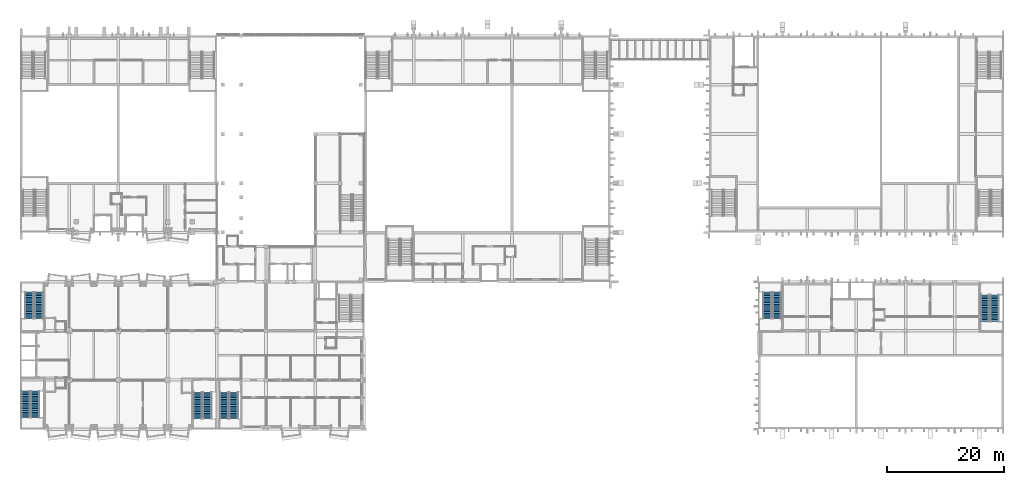
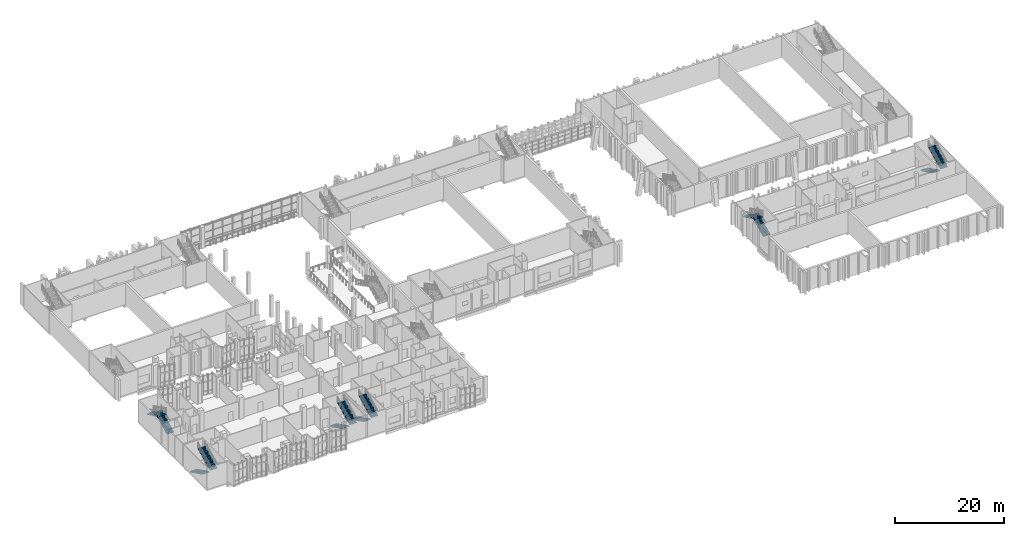
# One storey, part 41 of 91: 12 stair flights, 6 elements without a shape of their own.
"""IFC4 building model written with IfcOpenShell, lengths in metres."""

import ifcopenshell
import ifcopenshell.guid

model = None  # the IFC model being written
_history = None  # IfcOwnerHistory: only IFC2X3 demands one
_inside = {}  # id of a spatial element -> (the spatial element, [elements in it])
_under = {}  # id of a project, library or spatial element -> (it, [spatial elements below it])
_declared = {}  # id of a project -> (the project, [libraries it declares])
_typed = {}  # id of a type object -> (the type object, [elements of that type])
_made_of = {}  # id of a material, layer set ... -> (it, [elements and type objects made of it])


def new_model(schema):
    """Start an empty IFC model of exactly this schema.

    Asked for "IFC4X3", IfcOpenShell would pick the latest addendum, in which some entities
    have other attributes; the version numbers below select the first issue.
    IFC2X3 requires an IfcOwnerHistory on every rooted entity: one is made here for all.
    """
    global model, _history
    if schema == "IFC4X3":
        model = ifcopenshell.file(schema_version=(4, 3, 0, 0))
    else:
        model = ifcopenshell.file(schema=schema)
    _inside.clear()
    _under.clear()
    _declared.clear()
    _typed.clear()
    _made_of.clear()
    _history = None
    if model.schema == "IFC2X3":
        org = make("IfcOrganization", Name="unknown")
        user = make(
            "IfcPersonAndOrganization",
            ThePerson=make("IfcPerson", FamilyName="unknown"),
            TheOrganization=org,
        )
        app = make(
            "IfcApplication",
            ApplicationDeveloper=org,
            Version="unknown",
            ApplicationFullName="unknown",
            ApplicationIdentifier="unknown",
        )
        _history = make(
            "IfcOwnerHistory",
            OwningUser=user,
            OwningApplication=app,
            ChangeAction="ADDED",
            CreationDate=0,
        )
    return model


def make(cls, **values):
    """One entity of the class cls with the attributes given. An attribute that is None is left unset."""
    return model.create_entity(
        cls, **{name: value for name, value in values.items() if value is not None}
    )


def rooted(cls, **values):
    """An entity with a GlobalId (a new one), such as an element, a storey or a relation."""
    return make(cls, GlobalId=ifcopenshell.guid.new(), OwnerHistory=_history, **values)


def si_unit(unit_type, name, prefix=None):
    """IfcSIUnit, for example si_unit("LENGTHUNIT", "METRE", prefix="MILLI")."""
    return make("IfcSIUnit", UnitType=unit_type, Prefix=prefix, Name=name)


def assignment(units):
    """IfcUnitAssignment: the units of a project."""
    return None if units is None else make("IfcUnitAssignment", Units=units)


def point(xyz):
    """IfcCartesianPoint."""
    return None if xyz is None else make("IfcCartesianPoint", Coordinates=xyz)


def direction(xyz):
    """IfcDirection."""
    return None if xyz is None else make("IfcDirection", DirectionRatios=xyz)


def frame(location, z_axis=None, x_axis=None):
    """IfcAxis2Placement3D, a coordinate frame: its origin and axes. An axis left out is left unset."""
    return make(
        "IfcAxis2Placement3D",
        Location=point(location),
        Axis=direction(z_axis),
        RefDirection=direction(x_axis),
    )


def origin():
    """The frame at (0, 0, 0) with its axes left unset."""
    return frame((0.0, 0.0, 0.0))


def place(relative_to, where):
    """IfcLocalPlacement: puts the frame where relative to a parent placement (None: the world)."""
    return make(
        "IfcLocalPlacement", PlacementRelTo=relative_to, RelativePlacement=where
    )


def context(
    kind, dimensions, precision=None, world=None, true_north=None, identifier=None
):
    """IfcGeometricRepresentationContext, for example the 3D "Model" context."""
    return make(
        "IfcGeometricRepresentationContext",
        ContextIdentifier=identifier,
        ContextType=kind,
        CoordinateSpaceDimension=dimensions,
        Precision=precision,
        WorldCoordinateSystem=world,
        TrueNorth=true_north,
    )


def subcontext(parent, identifier, kind, view, scale=None):
    """IfcGeometricRepresentationSubContext, for example "Body" below "Model"."""
    return make(
        "IfcGeometricRepresentationSubContext",
        ContextIdentifier=identifier,
        ContextType=kind,
        ParentContext=parent,
        TargetScale=scale,
        TargetView=view,
    )


def project(units=None, contexts=None):
    """IfcProject with its units and contexts."""
    return rooted(
        "IfcProject",
        Name="project",
        RepresentationContexts=contexts,
        UnitsInContext=assignment(units),
    )


def spatial(cls, under=None, at=None, **own):
    """A site, building, storey or space (cls), placed at a placement, below another one or the project."""
    s = rooted(cls, ObjectPlacement=at, **own)
    if under is not None:
        _under.setdefault(under.id(), (under, []))[1].append(s)
    return s


def polyline(points):
    """IfcPolyline through the points."""
    return make("IfcPolyline", Points=[point(p) for p in points])


def outline(outer, holes=None, kind="AREA"):
    """IfcArbitraryClosedProfileDef: a profile drawn as a closed curve; with holes, ...WithVoids."""
    if holes is None:
        return make("IfcArbitraryClosedProfileDef", ProfileType=kind, OuterCurve=outer)
    return make(
        "IfcArbitraryProfileDefWithVoids",
        ProfileType=kind,
        OuterCurve=outer,
        InnerCurves=holes,
    )


def extrude(swept, where, along, depth):
    """IfcExtrudedAreaSolid: the profile swept, set in the frame where, extruded along a direction by depth."""
    return make(
        "IfcExtrudedAreaSolid",
        SweptArea=swept,
        Position=where,
        ExtrudedDirection=direction(along),
        Depth=depth,
    )


def shape(context_of_items, identifier, shape_type, items):
    """IfcShapeRepresentation: the items that make up one representation, for example the "Body"."""
    return make(
        "IfcShapeRepresentation",
        ContextOfItems=context_of_items,
        RepresentationIdentifier=identifier,
        RepresentationType=shape_type,
        Items=items,
    )


def material(Name=None, Category=None):
    """IfcMaterial."""
    return make("IfcMaterial", Name=Name, Category=Category)


def made_of(thing, what):
    """Note that an element or type object is made of a material, layer set ...; save() writes the relation."""
    if what is not None:
        _made_of.setdefault(what.id(), (what, []))[1].append(thing)
    return thing


def type_object(cls, material=None, **own):
    """A type object (cls), such as IfcWallType, which elements share."""
    return made_of(rooted(cls, **own), material)


def element(
    cls,
    number,
    at=None,
    inside=None,
    cuts=None,
    type_object=None,
    material=None,
    context=None,
    identifier="Body",
    shape_type=None,
    held_by="IfcProductDefinitionShape",
    body=None,
    shapes=None,
    **own,
):
    """One element of the class cls, such as IfcWall. Its Tag is "e" and its number.

    at: its placement. inside: the storey or other place that contains it. cuts: it is an
    opening in that element (IfcRelVoidsElement). A single representation is given by context,
    identifier, shape_type and body (its items); several are given by shapes. held_by: the class
    of the entity that holds the representations. save() writes the other relations.
    """
    e = rooted(cls, Tag="e%d" % number, ObjectPlacement=at, **own)
    if body is not None:
        shapes = [shape(context, identifier, shape_type, body)]
    if shapes is not None:
        e.Representation = make(held_by, Representations=shapes)
    if inside is not None:
        _inside.setdefault(inside.id(), (inside, []))[1].append(e)
    if cuts is not None:
        rooted(
            "IfcRelVoidsElement", RelatingBuildingElement=cuts, RelatedOpeningElement=e
        )
    if type_object is not None:
        _typed.setdefault(type_object.id(), (type_object, []))[1].append(e)
    return made_of(e, material)


def aggregate(whole, parts):
    """IfcRelAggregates: a whole, such as a stair, and the parts it consists of."""
    return rooted("IfcRelAggregates", RelatingObject=whole, RelatedObjects=parts)


def save(model, path):
    """Write the relations noted so far, then the file.

    IfcRelAggregates (storeys below a building ...), IfcRelContainedInSpatialStructure (elements
    in a storey), IfcRelDefinesByType, IfcRelAssociatesMaterial and IfcRelDeclares: one each for
    every whole, place, type object, material and project.
    """
    for whole, parts in _under.values():
        aggregate(whole, parts)
    for where, things in _inside.values():
        rooted(
            "IfcRelContainedInSpatialStructure",
            RelatedElements=things,
            RelatingStructure=where,
        )
    for kind, things in _typed.values():
        rooted("IfcRelDefinesByType", RelatedObjects=things, RelatingType=kind)
    for what, things in _made_of.values():
        rooted("IfcRelAssociatesMaterial", RelatedObjects=things, RelatingMaterial=what)
    for by, libraries in _declared.values():
        rooted("IfcRelDeclares", RelatingContext=by, RelatedDefinitions=libraries)
    model.write(path)


model = new_model("IFC4")

# Units and contexts
model_context = context("Model", 3, precision=1e-05, world=origin(), true_north=direction((0.0, 1.0)))
body_context = subcontext(model_context, "Body", "Model", "MODEL_VIEW")
ifc_project = project(units=[si_unit("LENGTHUNIT", "METRE"), si_unit("AREAUNIT", "SQUARE_METRE"), si_unit("VOLUMEUNIT", "CUBIC_METRE"), si_unit("PLANEANGLEUNIT", "RADIAN"), si_unit("MASSUNIT", "GRAM", prefix="KILO")], contexts=[model_context])

# Site, building, storey
site_placement = place(None, origin())
site = spatial("IfcSite", under=ifc_project, at=site_placement, CompositionType="ELEMENT")
building_placement = place(site_placement, origin())
building = spatial("IfcBuilding", under=site, at=building_placement, Name="Kiln Court Media Centre", CompositionType="ELEMENT")
storey_placement = place(building_placement, frame((0.0, 0.0, 5.39990234375)))
storey = spatial("IfcBuildingStorey", under=building, at=storey_placement, Name="L01", CompositionType="ELEMENT", Elevation=5.39990234375)

# Stair, stair flights
ifc_material_1 = material(Name="Concrete C40/50", Category="concrete")
stair_type = type_object("IfcStairType", Name="Concrete C40/50 dog-leg stair 1500 wide, 150 riser", PredefinedType="HALF_TURN_STAIR", material=ifc_material_1)
stair_1_placement = place(storey_placement, origin())
stair_1 = element("IfcStair", 1, at=stair_1_placement, inside=storey, type_object=stair_type, Name="ST-01 L01", PredefinedType="HALF_TURN_STAIR")
ifc_material_2 = material(Name="Concrete C40/50", Category="concrete")
stair_flight_type = type_object("IfcStairFlightType", Name="Concrete C40/50 stair flight 1500 wide, 150 riser, 300 going", PredefinedType="STRAIGHT", material=ifc_material_2)
stair_flight_1_placement = place(storey_placement, frame((0.949951171875, 6.5, 0.0), z_axis=(0.0, 0.0, 1.0), x_axis=(0.0, -1.0, 0.0)))
stair_flight_1 = element("IfcStairFlight", 2, at=stair_flight_1_placement, type_object=stair_flight_type, Name="L01-ST-5000 flight 5000", NumberOfRisers=16, NumberOfTreads=15, PredefinedType="STRAIGHT", RiserHeight=0.15, TreadLength=0.3, context=body_context, shape_type="SweptSolid", body=[
    extrude(outline(polyline([(0.0, 0.0), (0.0, 0.14990234375), (0.300048828125, 0.14990234375), (0.300048828125, 0.300048828125), (0.60009765625, 0.300048828125), (0.60009765625, 0.449951171875), (0.89990234375, 0.449951171875), (0.89990234375, 0.60009765625), (1.199951171875, 0.60009765625), (1.199951171875, 0.75), (1.5, 0.75), (1.5, 0.89990234375), (1.800048828125, 0.89990234375), (1.800048828125, 1.050048828125), (2.10009765625, 1.050048828125), (2.10009765625, 1.199951171875), (2.39990234375, 1.199951171875), (2.39990234375, 1.35009765625), (2.699951171875, 1.35009765625), (2.699951171875, 1.5), (3.0, 1.5), (3.0, 1.64990234375), (3.300048828125, 1.64990234375), (3.300048828125, 1.800048828125), (3.60009765625, 1.800048828125), (3.60009765625, 1.949951171875), (3.89990234375, 1.949951171875), (3.89990234375, 2.10009765625), (4.199951171875, 2.10009765625), (4.199951171875, 2.25), (4.5, 2.25), (4.5, 2.39990234375), (4.5, 2.08251953125), (0.335205078125, 0.0), (0.0, 0.0)])), frame((0.0, 0.75, 0.0), z_axis=(0.0, -1.0, 0.0), x_axis=(1.0, 0.0, 0.0)), (0.0, 0.0, 1.0), 1.5),
])
stair_flight_2_placement = place(storey_placement, frame((2.60009765625, 2.0, 2.400146484375), z_axis=(0.0, 0.0, 1.0), x_axis=(0.0, 1.0, 0.0)))
stair_flight_2 = element("IfcStairFlight", 3, at=stair_flight_2_placement, type_object=stair_flight_type, Name="L01-ST-5000 flight 5001", NumberOfRisers=16, NumberOfTreads=15, PredefinedType="STRAIGHT", RiserHeight=0.15, TreadLength=0.3, context=body_context, shape_type="SweptSolid", body=[
    extrude(outline(polyline([(0.0, 0.0), (0.0, 0.14990234375), (0.300048828125, 0.14990234375), (0.300048828125, 0.300048828125), (0.60009765625, 0.300048828125), (0.60009765625, 0.449951171875), (0.89990234375, 0.449951171875), (0.89990234375, 0.60009765625), (1.199951171875, 0.60009765625), (1.199951171875, 0.75), (1.5, 0.75), (1.5, 0.89990234375), (1.800048828125, 0.89990234375), (1.800048828125, 1.050048828125), (2.10009765625, 1.050048828125), (2.10009765625, 1.199951171875), (2.39990234375, 1.199951171875), (2.39990234375, 1.35009765625), (2.699951171875, 1.35009765625), (2.699951171875, 1.5), (3.0, 1.5), (3.0, 1.64990234375), (3.300048828125, 1.64990234375), (3.300048828125, 1.800048828125), (3.60009765625, 1.800048828125), (3.60009765625, 1.949951171875), (3.89990234375, 1.949951171875), (3.89990234375, 2.10009765625), (4.199951171875, 2.10009765625), (4.199951171875, 2.25), (4.5, 2.25), (4.5, 2.39990234375), (4.5, 2.08251953125), (0.335205078125, 0.0), (0.0, 0.0)])), frame((0.0, 0.75, 0.0), z_axis=(0.0, -1.0, 0.0), x_axis=(1.0, 0.0, 0.0)), (0.0, 0.0, 1.0), 1.5),
])
aggregate(stair_1, [stair_flight_1, stair_flight_2])

stair_2_placement = place(storey_placement, origin())
stair_2 = element("IfcStair", 4, at=stair_2_placement, inside=storey, type_object=stair_type, Name="ST-02 L01", PredefinedType="HALF_TURN_STAIR")
stair_flight_3_placement = place(storey_placement, frame((3.25, 18.89990234375, 0.0), z_axis=(0.0, 0.0, 1.0), x_axis=(0.0, 1.0, 0.0)))
stair_flight_3 = element("IfcStairFlight", 5, at=stair_flight_3_placement, type_object=stair_flight_type, Name="L01-ST-5001 flight 5002", NumberOfRisers=16, NumberOfTreads=15, PredefinedType="STRAIGHT", RiserHeight=0.15, TreadLength=0.3, context=body_context, shape_type="SweptSolid", body=[
    extrude(outline(polyline([(0.0, 0.0), (0.0, 0.14990234375), (0.300048828125, 0.14990234375), (0.300048828125, 0.300048828125), (0.60009765625, 0.300048828125), (0.60009765625, 0.449951171875), (0.89990234375, 0.449951171875), (0.89990234375, 0.60009765625), (1.199951171875, 0.60009765625), (1.199951171875, 0.75), (1.5, 0.75), (1.5, 0.89990234375), (1.800048828125, 0.89990234375), (1.800048828125, 1.050048828125), (2.10009765625, 1.050048828125), (2.10009765625, 1.199951171875), (2.39990234375, 1.199951171875), (2.39990234375, 1.35009765625), (2.699951171875, 1.35009765625), (2.699951171875, 1.5), (3.0, 1.5), (3.0, 1.64990234375), (3.300048828125, 1.64990234375), (3.300048828125, 1.800048828125), (3.60009765625, 1.800048828125), (3.60009765625, 1.949951171875), (3.89990234375, 1.949951171875), (3.89990234375, 2.10009765625), (4.199951171875, 2.10009765625), (4.199951171875, 2.25), (4.5, 2.25), (4.5, 2.39990234375), (4.5, 2.08251953125), (0.335205078125, 0.0), (0.0, 0.0)])), frame((0.0, 0.75, 0.0), z_axis=(0.0, -1.0, 0.0), x_axis=(1.0, 0.0, 0.0)), (0.0, 0.0, 1.0), 1.5),
])
stair_flight_4_placement = place(storey_placement, frame((1.60009765625, 23.39990234375, 2.400146484375), z_axis=(0.0, 0.0, 1.0), x_axis=(0.0, -1.0, 0.0)))
stair_flight_4 = element("IfcStairFlight", 6, at=stair_flight_4_placement, type_object=stair_flight_type, Name="L01-ST-5001 flight 5003", NumberOfRisers=16, NumberOfTreads=15, PredefinedType="STRAIGHT", RiserHeight=0.15, TreadLength=0.3, context=body_context, shape_type="SweptSolid", body=[
    extrude(outline(polyline([(0.0, 0.0), (0.0, 0.14990234375), (0.300048828125, 0.14990234375), (0.300048828125, 0.300048828125), (0.60009765625, 0.300048828125), (0.60009765625, 0.449951171875), (0.89990234375, 0.449951171875), (0.89990234375, 0.60009765625), (1.199951171875, 0.60009765625), (1.199951171875, 0.75), (1.5, 0.75), (1.5, 0.89990234375), (1.800048828125, 0.89990234375), (1.800048828125, 1.050048828125), (2.10009765625, 1.050048828125), (2.10009765625, 1.199951171875), (2.39990234375, 1.199951171875), (2.39990234375, 1.35009765625), (2.699951171875, 1.35009765625), (2.699951171875, 1.5), (3.0, 1.5), (3.0, 1.64990234375), (3.300048828125, 1.64990234375), (3.300048828125, 1.800048828125), (3.60009765625, 1.800048828125), (3.60009765625, 1.949951171875), (3.89990234375, 1.949951171875), (3.89990234375, 2.10009765625), (4.199951171875, 2.10009765625), (4.199951171875, 2.25), (4.5, 2.25), (4.5, 2.39990234375), (4.5, 2.08251953125), (0.335205078125, 0.0), (0.0, 0.0)])), frame((0.0, 0.75, 0.0), z_axis=(0.0, -1.0, 0.0), x_axis=(1.0, 0.0, 0.0)), (0.0, 0.0, 1.0), 1.5),
])
aggregate(stair_2, [stair_flight_3, stair_flight_4])

stair_3_placement = place(storey_placement, origin())
stair_3 = element("IfcStair", 7, at=stair_3_placement, inside=storey, type_object=stair_type, Name="ST-03 L01", PredefinedType="HALF_TURN_STAIR")
stair_flight_5_placement = place(storey_placement, frame((30.35009765625, 6.300048828125, 0.0), z_axis=(0.0, 0.0, 1.0), x_axis=(0.0, -1.0, 0.0)))
stair_flight_5 = element("IfcStairFlight", 8, at=stair_flight_5_placement, type_object=stair_flight_type, Name="L01-ST-5002 flight 5004", NumberOfRisers=16, NumberOfTreads=15, PredefinedType="STRAIGHT", RiserHeight=0.15, TreadLength=0.3, context=body_context, shape_type="SweptSolid", body=[
    extrude(outline(polyline([(0.0, 0.0), (0.0, 0.14990234375), (0.300048828125, 0.14990234375), (0.300048828125, 0.300048828125), (0.60009765625, 0.300048828125), (0.60009765625, 0.449951171875), (0.89990234375, 0.449951171875), (0.89990234375, 0.60009765625), (1.199951171875, 0.60009765625), (1.199951171875, 0.75), (1.5, 0.75), (1.5, 0.89990234375), (1.800048828125, 0.89990234375), (1.800048828125, 1.050048828125), (2.10009765625, 1.050048828125), (2.10009765625, 1.199951171875), (2.39990234375, 1.199951171875), (2.39990234375, 1.35009765625), (2.699951171875, 1.35009765625), (2.699951171875, 1.5), (3.0, 1.5), (3.0, 1.64990234375), (3.300048828125, 1.64990234375), (3.300048828125, 1.800048828125), (3.60009765625, 1.800048828125), (3.60009765625, 1.949951171875), (3.89990234375, 1.949951171875), (3.89990234375, 2.10009765625), (4.199951171875, 2.10009765625), (4.199951171875, 2.25), (4.5, 2.25), (4.5, 2.39990234375), (4.5, 2.08251953125), (0.335205078125, 0.0), (0.0, 0.0)])), frame((0.0, 0.75, 0.0), z_axis=(0.0, -1.0, 0.0), x_axis=(1.0, 0.0, 0.0)), (0.0, 0.0, 1.0), 1.5),
])
stair_flight_6_placement = place(storey_placement, frame((32.0, 1.800048828125, 2.400146484375), z_axis=(0.0, 0.0, 1.0), x_axis=(0.0, 1.0, 0.0)))
stair_flight_6 = element("IfcStairFlight", 9, at=stair_flight_6_placement, type_object=stair_flight_type, Name="L01-ST-5002 flight 5005", NumberOfRisers=16, NumberOfTreads=15, PredefinedType="STRAIGHT", RiserHeight=0.15, TreadLength=0.3, context=body_context, shape_type="SweptSolid", body=[
    extrude(outline(polyline([(0.0, 0.0), (0.0, 0.14990234375), (0.300048828125, 0.14990234375), (0.300048828125, 0.300048828125), (0.60009765625, 0.300048828125), (0.60009765625, 0.449951171875), (0.89990234375, 0.449951171875), (0.89990234375, 0.60009765625), (1.199951171875, 0.60009765625), (1.199951171875, 0.75), (1.5, 0.75), (1.5, 0.89990234375), (1.800048828125, 0.89990234375), (1.800048828125, 1.050048828125), (2.10009765625, 1.050048828125), (2.10009765625, 1.199951171875), (2.39990234375, 1.199951171875), (2.39990234375, 1.35009765625), (2.699951171875, 1.35009765625), (2.699951171875, 1.5), (3.0, 1.5), (3.0, 1.64990234375), (3.300048828125, 1.64990234375), (3.300048828125, 1.800048828125), (3.60009765625, 1.800048828125), (3.60009765625, 1.949951171875), (3.89990234375, 1.949951171875), (3.89990234375, 2.10009765625), (4.199951171875, 2.10009765625), (4.199951171875, 2.25), (4.5, 2.25), (4.5, 2.39990234375), (4.5, 2.08251953125), (0.335205078125, 0.0), (0.0, 0.0)])), frame((0.0, 0.75, 0.0), z_axis=(0.0, -1.0, 0.0), x_axis=(1.0, 0.0, 0.0)), (0.0, 0.0, 1.0), 1.5),
])
aggregate(stair_3, [stair_flight_5, stair_flight_6])

stair_4_placement = place(storey_placement, origin())
stair_4 = element("IfcStair", 10, at=stair_4_placement, inside=storey, type_object=stair_type, Name="ST-04 L01", PredefinedType="HALF_TURN_STAIR")
stair_flight_7_placement = place(storey_placement, frame((34.85009765625, 6.300048828125, 0.0), z_axis=(0.0, 0.0, 1.0), x_axis=(0.0, -1.0, 0.0)))
stair_flight_7 = element("IfcStairFlight", 11, at=stair_flight_7_placement, type_object=stair_flight_type, Name="L01-ST-5003 flight 5006", NumberOfRisers=16, NumberOfTreads=15, PredefinedType="STRAIGHT", RiserHeight=0.15, TreadLength=0.3, context=body_context, shape_type="SweptSolid", body=[
    extrude(outline(polyline([(0.0, 0.0), (0.0, 0.14990234375), (0.300048828125, 0.14990234375), (0.300048828125, 0.300048828125), (0.60009765625, 0.300048828125), (0.60009765625, 0.449951171875), (0.89990234375, 0.449951171875), (0.89990234375, 0.60009765625), (1.199951171875, 0.60009765625), (1.199951171875, 0.75), (1.5, 0.75), (1.5, 0.89990234375), (1.800048828125, 0.89990234375), (1.800048828125, 1.050048828125), (2.10009765625, 1.050048828125), (2.10009765625, 1.199951171875), (2.39990234375, 1.199951171875), (2.39990234375, 1.35009765625), (2.699951171875, 1.35009765625), (2.699951171875, 1.5), (3.0, 1.5), (3.0, 1.64990234375), (3.300048828125, 1.64990234375), (3.300048828125, 1.800048828125), (3.60009765625, 1.800048828125), (3.60009765625, 1.949951171875), (3.89990234375, 1.949951171875), (3.89990234375, 2.10009765625), (4.199951171875, 2.10009765625), (4.199951171875, 2.25), (4.5, 2.25), (4.5, 2.39990234375), (4.5, 2.08251953125), (0.335205078125, 0.0), (0.0, 0.0)])), frame((0.0, 0.75, 0.0), z_axis=(0.0, -1.0, 0.0), x_axis=(1.0, 0.0, 0.0)), (0.0, 0.0, 1.0), 1.5),
])
stair_flight_8_placement = place(storey_placement, frame((36.5, 1.800048828125, 2.400146484375), z_axis=(0.0, 0.0, 1.0), x_axis=(0.0, 1.0, 0.0)))
stair_flight_8 = element("IfcStairFlight", 12, at=stair_flight_8_placement, type_object=stair_flight_type, Name="L01-ST-5003 flight 5007", NumberOfRisers=16, NumberOfTreads=15, PredefinedType="STRAIGHT", RiserHeight=0.15, TreadLength=0.3, context=body_context, shape_type="SweptSolid", body=[
    extrude(outline(polyline([(0.0, 0.0), (0.0, 0.14990234375), (0.300048828125, 0.14990234375), (0.300048828125, 0.300048828125), (0.60009765625, 0.300048828125), (0.60009765625, 0.449951171875), (0.89990234375, 0.449951171875), (0.89990234375, 0.60009765625), (1.199951171875, 0.60009765625), (1.199951171875, 0.75), (1.5, 0.75), (1.5, 0.89990234375), (1.800048828125, 0.89990234375), (1.800048828125, 1.050048828125), (2.10009765625, 1.050048828125), (2.10009765625, 1.199951171875), (2.39990234375, 1.199951171875), (2.39990234375, 1.35009765625), (2.699951171875, 1.35009765625), (2.699951171875, 1.5), (3.0, 1.5), (3.0, 1.64990234375), (3.300048828125, 1.64990234375), (3.300048828125, 1.800048828125), (3.60009765625, 1.800048828125), (3.60009765625, 1.949951171875), (3.89990234375, 1.949951171875), (3.89990234375, 2.10009765625), (4.199951171875, 2.10009765625), (4.199951171875, 2.25), (4.5, 2.25), (4.5, 2.39990234375), (4.5, 2.08251953125), (0.335205078125, 0.0), (0.0, 0.0)])), frame((0.0, 0.75, 0.0), z_axis=(0.0, -1.0, 0.0), x_axis=(1.0, 0.0, 0.0)), (0.0, 0.0, 1.0), 1.5),
])
aggregate(stair_4, [stair_flight_7, stair_flight_8])

stair_5_placement = place(storey_placement, origin())
stair_5 = element("IfcStair", 13, at=stair_5_placement, inside=storey, type_object=stair_type, Name="ST-16 L01", PredefinedType="HALF_TURN_STAIR")
stair_flight_9_placement = place(storey_placement, frame((129.25, 18.89990234375, 0.0), z_axis=(0.0, 0.0, 1.0), x_axis=(0.0, 1.0, 0.0)))
stair_flight_9 = element("IfcStairFlight", 14, at=stair_flight_9_placement, type_object=stair_flight_type, Name="L01-ST-5015 flight 5030", NumberOfRisers=16, NumberOfTreads=15, PredefinedType="STRAIGHT", RiserHeight=0.15, TreadLength=0.3, context=body_context, shape_type="SweptSolid", body=[
    extrude(outline(polyline([(0.0, 0.0), (0.0, 0.14990234375), (0.300048828125, 0.14990234375), (0.300048828125, 0.300048828125), (0.60009765625, 0.300048828125), (0.60009765625, 0.449951171875), (0.89990234375, 0.449951171875), (0.89990234375, 0.60009765625), (1.199951171875, 0.60009765625), (1.199951171875, 0.75), (1.5, 0.75), (1.5, 0.89990234375), (1.800048828125, 0.89990234375), (1.800048828125, 1.050048828125), (2.10009765625, 1.050048828125), (2.10009765625, 1.199951171875), (2.39990234375, 1.199951171875), (2.39990234375, 1.35009765625), (2.699951171875, 1.35009765625), (2.699951171875, 1.5), (3.0, 1.5), (3.0, 1.64990234375), (3.300048828125, 1.64990234375), (3.300048828125, 1.800048828125), (3.60009765625, 1.800048828125), (3.60009765625, 1.949951171875), (3.89990234375, 1.949951171875), (3.89990234375, 2.10009765625), (4.199951171875, 2.10009765625), (4.199951171875, 2.25), (4.5, 2.25), (4.5, 2.39990234375), (4.5, 2.08251953125), (0.335205078125, 0.0), (0.0, 0.0)])), frame((0.0, 0.75, 0.0), z_axis=(0.0, -1.0, 0.0), x_axis=(1.0, 0.0, 0.0)), (0.0, 0.0, 1.0), 1.5),
])
stair_flight_10_placement = place(storey_placement, frame((127.60009765625, 23.39990234375, 2.400146484375), z_axis=(0.0, 0.0, 1.0), x_axis=(0.0, -1.0, 0.0)))
stair_flight_10 = element("IfcStairFlight", 15, at=stair_flight_10_placement, type_object=stair_flight_type, Name="L01-ST-5015 flight 5031", NumberOfRisers=16, NumberOfTreads=15, PredefinedType="STRAIGHT", RiserHeight=0.15, TreadLength=0.3, context=body_context, shape_type="SweptSolid", body=[
    extrude(outline(polyline([(0.0, 0.0), (0.0, 0.14990234375), (0.300048828125, 0.14990234375), (0.300048828125, 0.300048828125), (0.60009765625, 0.300048828125), (0.60009765625, 0.449951171875), (0.89990234375, 0.449951171875), (0.89990234375, 0.60009765625), (1.199951171875, 0.60009765625), (1.199951171875, 0.75), (1.5, 0.75), (1.5, 0.89990234375), (1.800048828125, 0.89990234375), (1.800048828125, 1.050048828125), (2.10009765625, 1.050048828125), (2.10009765625, 1.199951171875), (2.39990234375, 1.199951171875), (2.39990234375, 1.35009765625), (2.699951171875, 1.35009765625), (2.699951171875, 1.5), (3.0, 1.5), (3.0, 1.64990234375), (3.300048828125, 1.64990234375), (3.300048828125, 1.800048828125), (3.60009765625, 1.800048828125), (3.60009765625, 1.949951171875), (3.89990234375, 1.949951171875), (3.89990234375, 2.10009765625), (4.199951171875, 2.10009765625), (4.199951171875, 2.25), (4.5, 2.25), (4.5, 2.39990234375), (4.5, 2.08251953125), (0.335205078125, 0.0), (0.0, 0.0)])), frame((0.0, 0.75, 0.0), z_axis=(0.0, -1.0, 0.0), x_axis=(1.0, 0.0, 0.0)), (0.0, 0.0, 1.0), 1.5),
])
aggregate(stair_5, [stair_flight_9, stair_flight_10])

stair_6_placement = place(storey_placement, origin())
stair_6 = element("IfcStair", 16, at=stair_6_placement, inside=storey, type_object=stair_type, Name="ST-17 L01", PredefinedType="HALF_TURN_STAIR")
stair_flight_11_placement = place(storey_placement, frame((164.75, 22.89990234375, 0.0), z_axis=(0.0, 0.0, 1.0), x_axis=(0.0, -1.0, 0.0)))
stair_flight_11 = element("IfcStairFlight", 17, at=stair_flight_11_placement, type_object=stair_flight_type, Name="L01-ST-5016 flight 5032", NumberOfRisers=16, NumberOfTreads=15, PredefinedType="STRAIGHT", RiserHeight=0.15, TreadLength=0.3, context=body_context, shape_type="SweptSolid", body=[
    extrude(outline(polyline([(0.0, 0.0), (0.0, 0.14990234375), (0.300048828125, 0.14990234375), (0.300048828125, 0.300048828125), (0.60009765625, 0.300048828125), (0.60009765625, 0.449951171875), (0.89990234375, 0.449951171875), (0.89990234375, 0.60009765625), (1.199951171875, 0.60009765625), (1.199951171875, 0.75), (1.5, 0.75), (1.5, 0.89990234375), (1.800048828125, 0.89990234375), (1.800048828125, 1.050048828125), (2.10009765625, 1.050048828125), (2.10009765625, 1.199951171875), (2.39990234375, 1.199951171875), (2.39990234375, 1.35009765625), (2.699951171875, 1.35009765625), (2.699951171875, 1.5), (3.0, 1.5), (3.0, 1.64990234375), (3.300048828125, 1.64990234375), (3.300048828125, 1.800048828125), (3.60009765625, 1.800048828125), (3.60009765625, 1.949951171875), (3.89990234375, 1.949951171875), (3.89990234375, 2.10009765625), (4.199951171875, 2.10009765625), (4.199951171875, 2.25), (4.5, 2.25), (4.5, 2.39990234375), (4.5, 2.08251953125), (0.335205078125, 0.0), (0.0, 0.0)])), frame((0.0, 0.75, 0.0), z_axis=(0.0, -1.0, 0.0), x_axis=(1.0, 0.0, 0.0)), (0.0, 0.0, 1.0), 1.5),
])
stair_flight_12_placement = place(storey_placement, frame((166.39990234375, 18.39990234375, 2.400146484375), z_axis=(0.0, 0.0, 1.0), x_axis=(0.0, 1.0, 0.0)))
stair_flight_12 = element("IfcStairFlight", 18, at=stair_flight_12_placement, type_object=stair_flight_type, Name="L01-ST-5016 flight 5033", NumberOfRisers=16, NumberOfTreads=15, PredefinedType="STRAIGHT", RiserHeight=0.15, TreadLength=0.3, context=body_context, shape_type="SweptSolid", body=[
    extrude(outline(polyline([(0.0, 0.0), (0.0, 0.14990234375), (0.300048828125, 0.14990234375), (0.300048828125, 0.300048828125), (0.60009765625, 0.300048828125), (0.60009765625, 0.449951171875), (0.89990234375, 0.449951171875), (0.89990234375, 0.60009765625), (1.199951171875, 0.60009765625), (1.199951171875, 0.75), (1.5, 0.75), (1.5, 0.89990234375), (1.800048828125, 0.89990234375), (1.800048828125, 1.050048828125), (2.10009765625, 1.050048828125), (2.10009765625, 1.199951171875), (2.39990234375, 1.199951171875), (2.39990234375, 1.35009765625), (2.699951171875, 1.35009765625), (2.699951171875, 1.5), (3.0, 1.5), (3.0, 1.64990234375), (3.300048828125, 1.64990234375), (3.300048828125, 1.800048828125), (3.60009765625, 1.800048828125), (3.60009765625, 1.949951171875), (3.89990234375, 1.949951171875), (3.89990234375, 2.10009765625), (4.199951171875, 2.10009765625), (4.199951171875, 2.25), (4.5, 2.25), (4.5, 2.39990234375), (4.5, 2.08251953125), (0.335205078125, 0.0), (0.0, 0.0)])), frame((0.0, 0.75, 0.0), z_axis=(0.0, -1.0, 0.0), x_axis=(1.0, 0.0, 0.0)), (0.0, 0.0, 1.0), 1.5),
])
aggregate(stair_6, [stair_flight_11, stair_flight_12])

save(model, "model.ifc")
